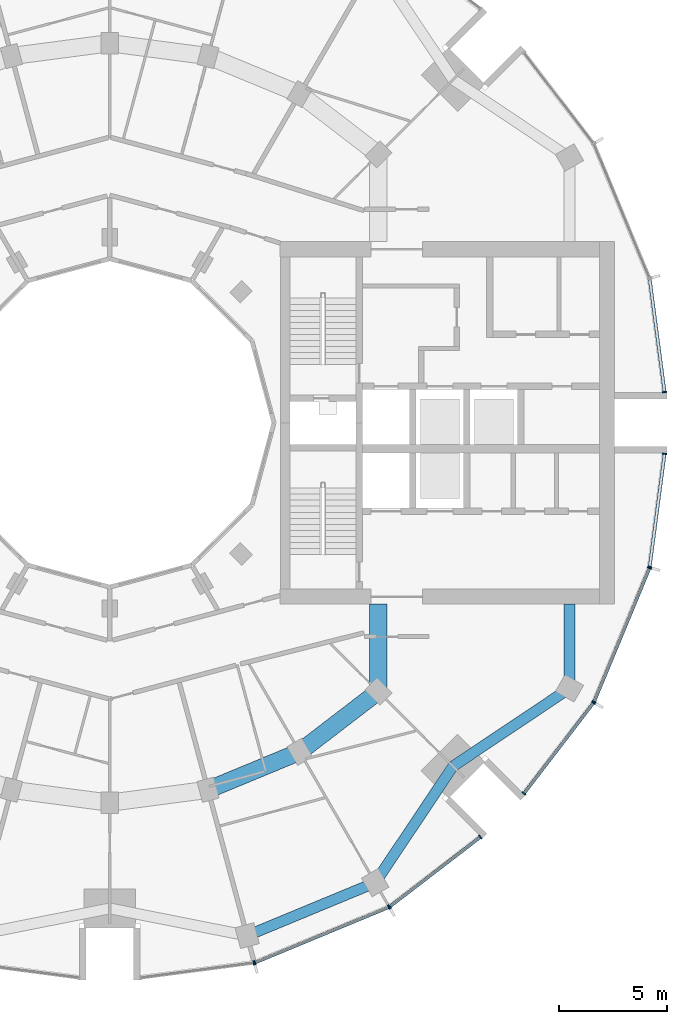
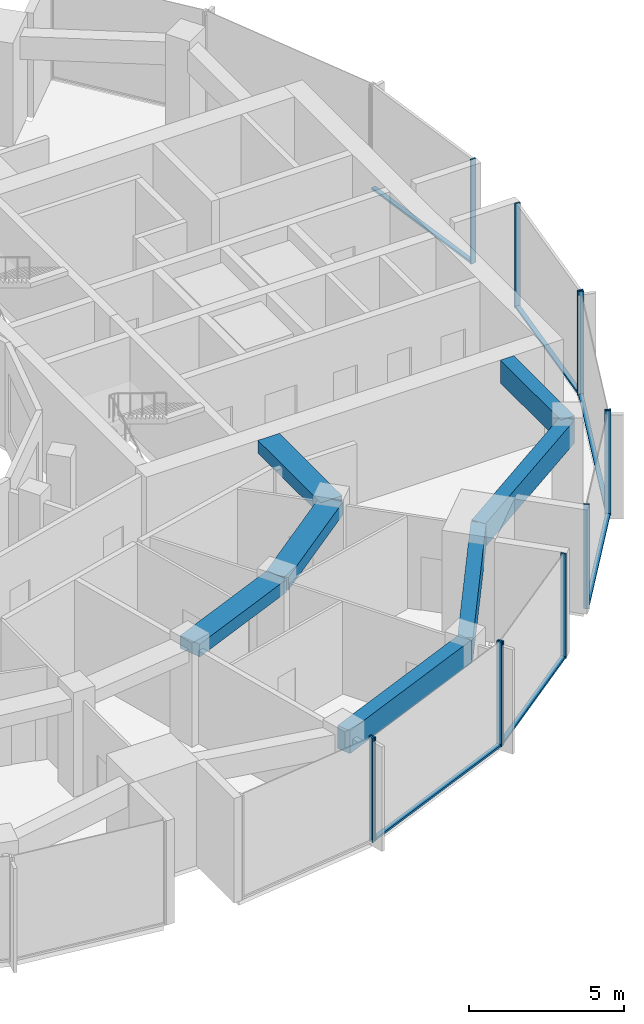
# One storey, part 4 of 15: 18 members, 7 beams, 7 elements without a shape of their own.
"""IFC4 building model written with IfcOpenShell, lengths in metres."""

from ifc_helpers import new_model, si_unit, direction, frame, origin, origin_2d, place, context, subcontext, project, spatial, rectangle, extrude, material, layer, layer_set, material_profile, profile_set, type_object, element, aggregate, save


model = new_model("IFC4")

# Units and contexts
model_context = context("Model", 3, precision=1e-05, world=origin(), true_north=direction((0.0, 1.0)))
body_context = subcontext(model_context, "Body", "Model", "MODEL_VIEW")
ifc_project = project(units=[si_unit("LENGTHUNIT", "METRE"), si_unit("AREAUNIT", "SQUARE_METRE"), si_unit("VOLUMEUNIT", "CUBIC_METRE"), si_unit("PLANEANGLEUNIT", "RADIAN"), si_unit("MASSUNIT", "GRAM", prefix="KILO")], contexts=[model_context])

# Site, building, storey
site_placement = place(None, origin())
site = spatial("IfcSite", under=ifc_project, at=site_placement, CompositionType="ELEMENT")
building_placement = place(site_placement, origin())
building = spatial("IfcBuilding", under=site, at=building_placement, Name="Torre Brocal", CompositionType="ELEMENT")
storey_placement = place(building_placement, frame((0.0, 0.0, 186.39990234375)))
storey = spatial("IfcBuildingStorey", under=building, at=storey_placement, Name="L43", CompositionType="ELEMENT", Elevation=186.39990234375)

# Curtain wall, member
ifc_material_1 = material(Name="Aluminium and glass", Category="aluminium")
ifc_layer_1 = layer(ifc_material_1, 0.199951171875)
ifc_layer_set_1 = layer_set([ifc_layer_1], Name="Aluminium and glass")
curtain_wall_type_1 = type_object("IfcCurtainWallType", Name="CW-1 CURTAIN WALL 4100 HIGH", PredefinedType="NOTDEFINED", material=ifc_layer_set_1)
curtain_wall_1_placement = place(storey_placement, origin())
curtain_wall_1 = element("IfcCurtainWall", 1, at=curtain_wall_1_placement, inside=storey, type_object=curtain_wall_type_1, Name="CW-1 RUN 19", PredefinedType="NOTDEFINED")
ifc_material_2 = material(Name="Aluminium, dark anodised", Category="aluminium")
ifc_material_profile_1 = material_profile(ifc_material_2, rectangle(XDim=0.199951171875, YDim=0.06005859375, at=origin_2d()), Name="CW-1 MULLION 60X200")
ifc_profile_set_1 = profile_set([ifc_material_profile_1], Name="Aluminium, dark anodised")
member_type_1 = type_object("IfcMemberType", Name="CW-1 MULLION 60X200", PredefinedType="MULLION", material=ifc_profile_set_1)
member_1_placement = place(storey_placement, frame((86.67333984375, 49.9794921875, 0.0), z_axis=(0.0, 0.0, 1.0), x_axis=(-0.13052619222, 0.991444861374, 0.0)))
member_1 = element("IfcMember", 2, at=member_1_placement, type_object=member_type_1, Name="CW1-4 mullion 2", PredefinedType="MULLION", context=body_context, shape_type="SweptSolid", body=[
    extrude(rectangle(XDim=0.199951171875, YDim=0.06005859375, at=origin_2d()), origin(), (0.0, 0.0, 1.0), 4.10009765625),
])
aggregate(curtain_wall_1, [member_1])

# Curtain wall, members
curtain_wall_2_placement = place(storey_placement, origin())
curtain_wall_2 = element("IfcCurtainWall", 3, at=curtain_wall_2_placement, inside=storey, type_object=curtain_wall_type_1, Name="CW-1 RUN 20", PredefinedType="NOTDEFINED")
member_2_placement = place(storey_placement, frame((86.73095703125, 49.994873046875, 0.0), z_axis=(0.0, 0.0, 1.0), x_axis=(-0.382683432333, 0.923879532525, 0.0)))
member_2 = element("IfcMember", 4, at=member_2_placement, type_object=member_type_1, Name="CW1-4 mullion 1", PredefinedType="MULLION", context=body_context, shape_type="SweptSolid", body=[
    extrude(rectangle(XDim=0.199951171875, YDim=0.06005859375, at=origin_2d()), origin(), (0.0, 0.0, 1.0), 4.10009765625),
])
member_3_placement = place(storey_placement, frame((92.921875, 52.559326171875, 0.0), z_axis=(0.0, 0.0, 1.0), x_axis=(-0.382683432333, 0.923879532525, 0.0)))
member_3 = element("IfcMember", 5, at=member_3_placement, type_object=member_type_1, Name="CW1-4 mullion 2", PredefinedType="MULLION", context=body_context, shape_type="SweptSolid", body=[
    extrude(rectangle(XDim=0.199951171875, YDim=0.06005859375, at=origin_2d()), origin(), (0.0, 0.0, 1.0), 4.10009765625),
])

curtain_wall_3_placement = place(storey_placement, origin())
curtain_wall_3 = element("IfcCurtainWall", 6, at=curtain_wall_3_placement, inside=storey, type_object=curtain_wall_type_1, Name="CW-1 RUN 21", PredefinedType="NOTDEFINED")
member_4_placement = place(storey_placement, frame((92.973388671875, 52.5888671875, 0.0), z_axis=(0.0, 0.0, 1.0), x_axis=(-0.60876142905, 0.793353340259, 0.0)))
member_4 = element("IfcMember", 7, at=member_4_placement, type_object=member_type_1, Name="CW1-4 mullion 1", PredefinedType="MULLION", context=body_context, shape_type="SweptSolid", body=[
    extrude(rectangle(XDim=0.199951171875, YDim=0.06005859375, at=origin_2d()), origin(), (0.0, 0.0, 1.0), 4.10009765625),
])
member_5_placement = place(storey_placement, frame((97.16943359375, 55.80859375, 0.0), z_axis=(0.0, 0.0, 1.0), x_axis=(-0.60876142905, 0.793353340259, 0.0)))
member_5 = element("IfcMember", 8, at=member_5_placement, type_object=member_type_1, Name="CW1-4 mullion 2", PredefinedType="MULLION", context=body_context, shape_type="SweptSolid", body=[
    extrude(rectangle(XDim=0.199951171875, YDim=0.06005859375, at=origin_2d()), origin(), (0.0, 0.0, 1.0), 4.10009765625),
])

curtain_wall_4_placement = place(storey_placement, origin())
curtain_wall_4 = element("IfcCurtainWall", 9, at=curtain_wall_4_placement, inside=storey, type_object=curtain_wall_type_1, Name="CW-1 RUN 22", PredefinedType="NOTDEFINED")
member_6_placement = place(storey_placement, frame((99.19140625, 57.83056640625, 0.0), z_axis=(0.0, 0.0, 1.0), x_axis=(-0.793353340259, 0.60876142905, 0.0)))
member_6 = element("IfcMember", 10, at=member_6_placement, type_object=member_type_1, Name="CW1-4 mullion 1", PredefinedType="MULLION", context=body_context, shape_type="SweptSolid", body=[
    extrude(rectangle(XDim=0.199951171875, YDim=0.06005859375, at=origin_2d()), origin(), (0.0, 0.0, 1.0), 4.10009765625),
])
member_7_placement = place(storey_placement, frame((102.4111328125, 62.026611328125, 0.0), z_axis=(0.0, 0.0, 1.0), x_axis=(-0.793353340259, 0.60876142905, 0.0)))
member_7 = element("IfcMember", 11, at=member_7_placement, type_object=member_type_1, Name="CW1-4 mullion 2", PredefinedType="MULLION", context=body_context, shape_type="SweptSolid", body=[
    extrude(rectangle(XDim=0.199951171875, YDim=0.06005859375, at=origin_2d()), origin(), (0.0, 0.0, 1.0), 4.10009765625),
])

curtain_wall_5_placement = place(storey_placement, origin())
curtain_wall_5 = element("IfcCurtainWall", 12, at=curtain_wall_5_placement, inside=storey, type_object=curtain_wall_type_1, Name="CW-1 RUN 23", PredefinedType="NOTDEFINED")
member_8_placement = place(storey_placement, frame((102.440673828125, 62.078125, 0.0), z_axis=(0.0, 0.0, 1.0), x_axis=(-0.923879532525, 0.382683432333, 0.0)))
member_8 = element("IfcMember", 13, at=member_8_placement, type_object=member_type_1, Name="CW1-4 mullion 1", PredefinedType="MULLION", context=body_context, shape_type="SweptSolid", body=[
    extrude(rectangle(XDim=0.199951171875, YDim=0.06005859375, at=origin_2d()), origin(), (0.0, 0.0, 1.0), 4.10009765625),
])
member_9_placement = place(storey_placement, frame((105.005126953125, 68.26904296875, 0.0), z_axis=(0.0, 0.0, 1.0), x_axis=(-0.923879532525, 0.382683432333, 0.0)))
member_9 = element("IfcMember", 14, at=member_9_placement, type_object=member_type_1, Name="CW1-4 mullion 2", PredefinedType="MULLION", context=body_context, shape_type="SweptSolid", body=[
    extrude(rectangle(XDim=0.199951171875, YDim=0.06005859375, at=origin_2d()), origin(), (0.0, 0.0, 1.0), 4.10009765625),
])

# Member
ifc_material_3 = material(Name="Aluminium, dark anodised", Category="aluminium")
ifc_material_profile_2 = material_profile(ifc_material_3, rectangle(XDim=0.159912109375, YDim=0.080078125, at=origin_2d()), Name="CW-1 TRANSOM 160X80")
ifc_profile_set_2 = profile_set([ifc_material_profile_2], Name="Aluminium, dark anodised")
member_type_2 = type_object("IfcMemberType", Name="CW-1 TRANSOM 160X80", PredefinedType="USERDEFINED", material=ifc_profile_set_2)
member_10_placement = place(storey_placement, frame((86.758544921875, 50.00634765625, 0.0400390625), z_axis=(0.923887344364, 0.38266457234, 0.0), x_axis=(-0.38266457234, 0.923887344364, 0.0)))
member_10 = element("IfcMember", 15, at=member_10_placement, type_object=member_type_2, Name="CW1-4 transom 1.1", ObjectType="TRANSOM", PredefinedType="USERDEFINED", context=body_context, shape_type="SweptSolid", body=[
    extrude(rectangle(XDim=0.159912109375, YDim=0.080078125, at=origin_2d()), origin(), (0.0, 0.0, 1.0), 6.640869140625),
])

aggregate(curtain_wall_2, [member_2, member_3, member_10])

member_11_placement = place(storey_placement, frame((92.9970703125, 52.607177734375, 0.0400390625), z_axis=(0.79336281513, 0.60874908096, 0.0), x_axis=(-0.60874908096, 0.79336281513, 0.0)))
member_11 = element("IfcMember", 16, at=member_11_placement, type_object=member_type_2, Name="CW1-4 transom 1.1", ObjectType="TRANSOM", PredefinedType="USERDEFINED", context=body_context, shape_type="SweptSolid", body=[
    extrude(rectangle(XDim=0.159912109375, YDim=0.080078125, at=origin_2d()), origin(), (0.0, 0.0, 1.0), 5.22900390625),
])

aggregate(curtain_wall_3, [member_4, member_5, member_11])

member_12_placement = place(storey_placement, frame((99.209716796875, 57.8544921875, 0.0400390625), z_axis=(0.60874908096, 0.79336281513, 0.0), x_axis=(-0.79336281513, 0.60874908096, 0.0)))
member_12 = element("IfcMember", 17, at=member_12_placement, type_object=member_type_2, Name="CW1-4 transom 1.1", ObjectType="TRANSOM", PredefinedType="USERDEFINED", context=body_context, shape_type="SweptSolid", body=[
    extrude(rectangle(XDim=0.159912109375, YDim=0.080078125, at=origin_2d()), origin(), (0.0, 0.0, 1.0), 5.22900390625),
])

aggregate(curtain_wall_4, [member_6, member_7, member_12])

member_13_placement = place(storey_placement, frame((102.452392578125, 62.10595703125, 0.0400390625), z_axis=(0.38266457234, 0.923887344364, 0.0), x_axis=(-0.923887344364, 0.38266457234, 0.0)))
member_13 = element("IfcMember", 18, at=member_13_placement, type_object=member_type_2, Name="CW1-4 transom 1.1", ObjectType="TRANSOM", PredefinedType="USERDEFINED", context=body_context, shape_type="SweptSolid", body=[
    extrude(rectangle(XDim=0.159912109375, YDim=0.080078125, at=origin_2d()), origin(), (0.0, 0.0, 1.0), 6.640869140625),
])

aggregate(curtain_wall_5, [member_8, member_9, member_13])

# Curtain wall, member
ifc_material_4 = material(Name="Aluminium and glass", Category="aluminium")
ifc_layer_2 = layer(ifc_material_4, 0.199951171875)
ifc_layer_set_2 = layer_set([ifc_layer_2], Name="Aluminium and glass")
curtain_wall_type_2 = type_object("IfcCurtainWallType", Name="CW-1B CURTAIN WALL 4100 HIGH", PredefinedType="NOTDEFINED", material=ifc_layer_set_2)
curtain_wall_6_placement = place(storey_placement, origin())
curtain_wall_6 = element("IfcCurtainWall", 19, at=curtain_wall_6_placement, inside=storey, type_object=curtain_wall_type_2, Name="CW-1B RUN 1", PredefinedType="NOTDEFINED")
ifc_material_5 = material(Name="Aluminium, dark anodised", Category="aluminium")
ifc_material_profile_3 = material_profile(ifc_material_5, rectangle(XDim=0.199951171875, YDim=0.06005859375, at=origin_2d()), Name="CW-1B MULLION 60X200")
ifc_profile_set_3 = profile_set([ifc_material_profile_3], Name="Aluminium, dark anodised")
member_type_3 = type_object("IfcMemberType", Name="CW-1B MULLION 60X200", PredefinedType="MULLION", material=ifc_profile_set_3)
member_14_placement = place(storey_placement, frame((105.7109375, 76.4296875, 0.0), z_axis=(0.0, 0.0, 1.0), x_axis=(-0.991444861374, -0.13052619222, 0.0)))
member_14 = element("IfcMember", 20, at=member_14_placement, type_object=member_type_3, Name="CW1B-4 mullion 1", PredefinedType="MULLION", context=body_context, shape_type="SweptSolid", body=[
    extrude(rectangle(XDim=0.199951171875, YDim=0.06005859375, at=origin_2d()), origin(), (0.0, 0.0, 1.0), 4.10009765625),
])

# Curtain wall, members
curtain_wall_7_placement = place(storey_placement, origin())
curtain_wall_7 = element("IfcCurtainWall", 21, at=curtain_wall_7_placement, inside=storey, type_object=curtain_wall_type_2, Name="CW-1B RUN 24", PredefinedType="NOTDEFINED")
member_15_placement = place(storey_placement, frame((105.0205078125, 68.32666015625, 0.0), z_axis=(0.0, 0.0, 1.0), x_axis=(-0.991444861374, 0.13052619222, 0.0)))
member_15 = element("IfcMember", 22, at=member_15_placement, type_object=member_type_3, Name="CW1B-4 mullion 1", PredefinedType="MULLION", context=body_context, shape_type="SweptSolid", body=[
    extrude(rectangle(XDim=0.199951171875, YDim=0.06005859375, at=origin_2d()), origin(), (0.0, 0.0, 1.0), 4.10009765625),
])
member_16_placement = place(storey_placement, frame((105.7109375, 73.5703125, 0.0), z_axis=(0.0, 0.0, 1.0), x_axis=(-0.991444861374, 0.13052619222, 0.0)))
member_16 = element("IfcMember", 23, at=member_16_placement, type_object=member_type_3, Name="CW1B-4 mullion 2", PredefinedType="MULLION", context=body_context, shape_type="SweptSolid", body=[
    extrude(rectangle(XDim=0.199951171875, YDim=0.06005859375, at=origin_2d()), origin(), (0.0, 0.0, 1.0), 4.10009765625),
])

# Member
ifc_material_6 = material(Name="Aluminium, dark anodised", Category="aluminium")
ifc_material_profile_4 = material_profile(ifc_material_6, rectangle(XDim=0.159912109375, YDim=0.080078125, at=origin_2d()), Name="CW-1B TRANSOM 160X80")
ifc_profile_set_4 = profile_set([ifc_material_profile_4], Name="Aluminium, dark anodised")
member_type_4 = type_object("IfcMemberType", Name="CW-1B TRANSOM 160X80", PredefinedType="USERDEFINED", material=ifc_profile_set_4)
member_17_placement = place(storey_placement, frame((105.70703125, 76.45947265625, 0.0400390625), z_axis=(-0.130542677827, 0.991442690863, 0.0), x_axis=(-0.991442690863, -0.130542677827, 0.0)))
member_17 = element("IfcMember", 24, at=member_17_placement, type_object=member_type_4, Name="CW1B-4 transom 1.1", ObjectType="TRANSOM", PredefinedType="USERDEFINED", context=body_context, shape_type="SweptSolid", body=[
    extrude(rectangle(XDim=0.159912109375, YDim=0.080078125, at=origin_2d()), origin(), (0.0, 0.0, 1.0), 5.22900390625),
])

aggregate(curtain_wall_6, [member_14, member_17])

member_18_placement = place(storey_placement, frame((105.0244140625, 68.356201171875, 0.0400390625), z_axis=(0.130542677827, 0.991442690863, 0.0), x_axis=(-0.991442690863, 0.130542677827, 0.0)))
member_18 = element("IfcMember", 25, at=member_18_placement, type_object=member_type_4, Name="CW1B-4 transom 1.1", ObjectType="TRANSOM", PredefinedType="USERDEFINED", context=body_context, shape_type="SweptSolid", body=[
    extrude(rectangle(XDim=0.159912109375, YDim=0.080078125, at=origin_2d()), origin(), (0.0, 0.0, 1.0), 5.22900390625),
])

aggregate(curtain_wall_7, [member_15, member_16, member_18])

# Beams
ifc_material_7 = material(Name="Concrete C50", Category="concrete")
ifc_material_profile_5 = material_profile(ifc_material_7, rectangle(XDim=0.800048828125, YDim=0.5, at=origin_2d()), Name="RC 800X500")
ifc_profile_set_5 = profile_set([ifc_material_profile_5], Name="Concrete C50")
beam_type_1 = type_object("IfcBeamType", Name="RC BEAM 800X500 C50 TOP 3780", PredefinedType="BEAM", material=ifc_profile_set_5)
beam_1_placement = place(storey_placement, frame((84.55517578125, 57.999755859375, 3.530029296875), z_axis=(0.923878240166, 0.382686552348, 0.0), x_axis=(-0.382686552348, 0.923878240166, 0.0)))
element("IfcBeam", 26, at=beam_1_placement, inside=storey, type_object=beam_type_1, Name="Beam BT-32", PredefinedType="BEAM", context=body_context, shape_type="SweptSolid", body=[
    extrude(rectangle(XDim=0.800048828125, YDim=0.5, at=origin_2d()), origin(), (0.0, 0.0, 1.0), 4.5947265625),
])
beam_2_placement = place(storey_placement, frame((88.800048828125, 59.758056640625, 3.530029296875), z_axis=(0.793358265959, 0.6087550097, 0.0), x_axis=(-0.6087550097, 0.793358265959, 0.0)))
element("IfcBeam", 27, at=beam_2_placement, inside=storey, type_object=beam_type_1, Name="Beam BT-32", PredefinedType="BEAM", context=body_context, shape_type="SweptSolid", body=[
    extrude(rectangle(XDim=0.800048828125, YDim=0.5, at=origin_2d()), origin(), (0.0, 0.0, 1.0), 4.594482421875),
])
beam_3_placement = place(storey_placement, frame((92.445068359375, 62.554931640625, 3.530029296875), z_axis=(0.0, 1.0, 0.0), x_axis=(-1.0, 0.0, 0.0)))
element("IfcBeam", 28, at=beam_3_placement, inside=storey, type_object=beam_type_1, Name="Beam BT-32", PredefinedType="BEAM", context=body_context, shape_type="SweptSolid", body=[
    extrude(rectangle(XDim=0.800048828125, YDim=0.5, at=origin_2d()), origin(), (0.0, 0.0, 1.0), 4.045166015625),
])
ifc_material_8 = material(Name="Concrete C50", Category="concrete")
ifc_material_profile_6 = material_profile(ifc_material_8, rectangle(XDim=0.5, YDim=0.89990234375, at=origin_2d()), Name="RC 500X900")
ifc_profile_set_6 = profile_set([ifc_material_profile_6], Name="Concrete C50")
beam_type_2 = type_object("IfcBeamType", Name="RC SPANDREL BEAM 500X900 C50 TOP 3780", PredefinedType="SPANDREL", material=ifc_profile_set_6)
beam_4_placement = place(storey_placement, frame((86.366943359375, 51.23828125, 3.330078125), z_axis=(0.923882462513, 0.382676358639, 0.0), x_axis=(-0.382676358639, 0.923882462513, 0.0)))
element("IfcBeam", 29, at=beam_4_placement, inside=storey, type_object=beam_type_2, Name="Beam BT-33", PredefinedType="SPANDREL", context=body_context, shape_type="SweptSolid", body=[
    extrude(rectangle(XDim=0.5, YDim=0.89990234375, at=origin_2d()), origin(), (0.0, 0.0, 1.0), 6.421875),
])
for number, where, z_axis, x_axis, name in (
    (30, (92.300048828125, 53.69580078125, 3.330078125), (0.556157602282, 0.831076844476, 0.0), (-0.831076844476, 0.556157602282, 0.0), "Beam BT-33"),
    (31, (95.909912109375, 59.090087890625, 3.330078125), (0.831076844476, 0.556157602282, 0.0), (-0.556157602282, 0.831076844476, 0.0), "Beam BT-33"),
):
    element("IfcBeam", number, at=place(storey_placement, frame(where, z_axis=z_axis, x_axis=x_axis)), inside=storey, type_object=beam_type_2, Name=name, PredefinedType="SPANDREL", context=body_context, shape_type="SweptSolid", body=[
        extrude(rectangle(XDim=0.5, YDim=0.89990234375, at=origin_2d()), origin(), (0.0, 0.0, 1.0), 6.49072265625),
    ])
beam_5_placement = place(storey_placement, frame((101.30419921875, 62.699951171875, 3.330078125), z_axis=(0.0, 1.0, 0.0), x_axis=(-1.0, 0.0, 0.0)))
element("IfcBeam", 32, at=beam_5_placement, inside=storey, type_object=beam_type_2, Name="Beam BT-33", PredefinedType="SPANDREL", context=body_context, shape_type="SweptSolid", body=[
    extrude(rectangle(XDim=0.5, YDim=0.89990234375, at=origin_2d()), origin(), (0.0, 0.0, 1.0), 3.900146484375),
])

save(model, "model.ifc")
